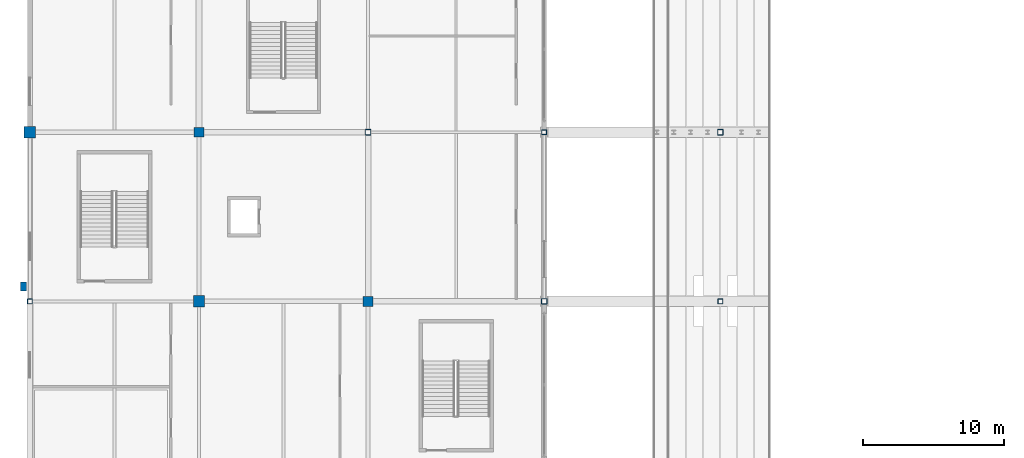
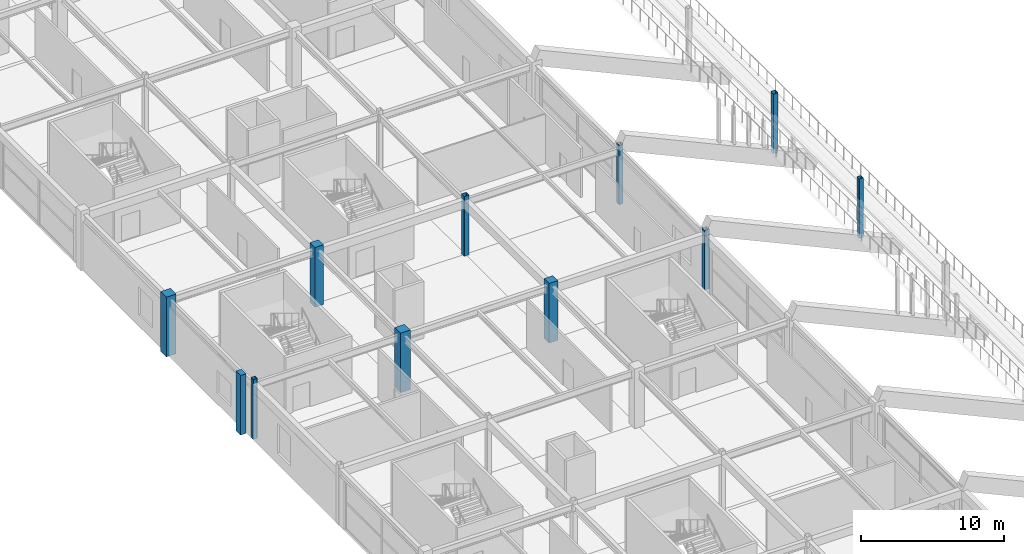
# One storey, part 7 of 128: 11 columns.
"""IFC4 building model written with IfcOpenShell, lengths in metres."""

from ifc_helpers import new_model, si_unit, direction, frame, origin, origin_2d, place, context, subcontext, project, spatial, rectangle, hollow_rectangle, extrude, material, material_profile, profile_set, type_object, element, save


model = new_model("IFC4")

# Units and contexts
model_context = context("Model", 3, precision=1e-05, world=origin(), true_north=direction((0.0, 1.0)))
body_context = subcontext(model_context, "Body", "Model", "MODEL_VIEW")
ifc_project = project(units=[si_unit("LENGTHUNIT", "METRE"), si_unit("AREAUNIT", "SQUARE_METRE"), si_unit("VOLUMEUNIT", "CUBIC_METRE"), si_unit("PLANEANGLEUNIT", "RADIAN"), si_unit("MASSUNIT", "GRAM", prefix="KILO")], contexts=[model_context])

# Site, building, storey
site_placement = place(None, origin())
site = spatial("IfcSite", under=ifc_project, at=site_placement, CompositionType="ELEMENT")
building_placement = place(site_placement, origin())
building = spatial("IfcBuilding", under=site, at=building_placement, Name="Kazenohara Klinker Stadium", CompositionType="ELEMENT")
storey_placement = place(building_placement, frame((0.0, 0.0, 15.300048828125)))
storey = spatial("IfcBuildingStorey", under=building, at=storey_placement, Name="L03", CompositionType="ELEMENT", Elevation=15.300048828125)

# Columns
ifc_material_1 = material(Name="Concrete C40/50", Category="concrete")
ifc_material_profile_1 = material_profile(ifc_material_1, rectangle(XDim=0.800048828125, YDim=0.800048828125, at=origin_2d()), Name="RC-COL-800x800")
ifc_profile_set_1 = profile_set([ifc_material_profile_1], Name="Concrete C40/50")
column_type_1 = type_object("IfcColumnType", Name="COL-RC05", PredefinedType="COLUMN", material=ifc_profile_set_1)
for number, where, z_axis, x_axis, name in (
    (1, (0.0, 96.0, 0.0), (0.0, 0.0, 1.0), (1.0, 0.0, 0.0), "Column C05 L03 1/J"),
    (2, (12.0, 84.0, 0.0), (0.0, 0.0, 1.0), (1.0, 0.0, 0.0), "Column C05 L03 2/H"),
):
    element("IfcColumn", number, at=place(storey_placement, frame(where, z_axis=z_axis, x_axis=x_axis)), inside=storey, type_object=column_type_1, Name=name, PredefinedType="COLUMN", context=body_context, shape_type="SweptSolid", body=[
        extrude(rectangle(XDim=0.800048828125, YDim=0.800048828125, at=origin_2d()), origin(), (0.0, 0.0, 1.0), 5.099853515625),
    ])
ifc_material_profile_2 = material_profile(ifc_material_1, rectangle(XDim=0.699951171875, YDim=0.699951171875, at=origin_2d()), Name="RC-COL-700x700")
ifc_profile_set_2 = profile_set([ifc_material_profile_2], Name="Concrete C40/50")
column_type_2 = type_object("IfcColumnType", Name="COL-RC06", PredefinedType="COLUMN", material=ifc_profile_set_2)
for number, where, z_axis, x_axis, name in (
    (3, (12.0, 96.0, 0.0), (0.0, 0.0, 1.0), (1.0, 0.0, 0.0), "Column C06 L03 2/J"),
    (4, (24.0, 84.0, 0.0), (0.0, 0.0, 1.0), (1.0, 0.0, 0.0), "Column C06 L03 3/H"),
):
    element("IfcColumn", number, at=place(storey_placement, frame(where, z_axis=z_axis, x_axis=x_axis)), inside=storey, type_object=column_type_2, Name=name, PredefinedType="COLUMN", context=body_context, shape_type="SweptSolid", body=[
        extrude(rectangle(XDim=0.699951171875, YDim=0.699951171875, at=origin_2d()), origin(), (0.0, 0.0, 1.0), 5.099853515625),
    ])
ifc_material_2 = material(Name="Steel S355", Category="steel")
ifc_material_profile_3 = material_profile(ifc_material_2, hollow_rectangle(XDim=0.39990234375, YDim=0.39990234375, WallThickness=0.01611328125, InnerFilletRadius=0.01611328125, OuterFilletRadius=0.031982421875, at=origin_2d()), Name="SHS-400x400x16")
ifc_profile_set_3 = profile_set([ifc_material_profile_3], Name="Steel S355")
column_type_3 = type_object("IfcColumnType", Name="COL-ST01", PredefinedType="COLUMN", material=ifc_profile_set_3)
for number, where, z_axis, x_axis, name in (
    (5, (24.0, 96.0, 0.0), (0.0, 0.0, 1.0), (1.0, 0.0, 0.0), "Column SC01 L03 3/J"),
    (6, (36.5, 84.0, 0.0), (0.0, 0.0, 1.0), (1.0, 0.0, 0.0), "Column SC01 L03 4/H"),
    (7, (49.0, 96.0, 0.0), (0.0, 0.0, 1.0), (1.0, 0.0, 0.0), "Canopy ring support column SC01 L03 5/J"),
):
    element("IfcColumn", number, at=place(storey_placement, frame(where, z_axis=z_axis, x_axis=x_axis)), inside=storey, type_object=column_type_3, Name=name, PredefinedType="COLUMN", context=body_context, shape_type="SweptSolid", body=[
        extrude(hollow_rectangle(XDim=0.39990234375, YDim=0.39990234375, WallThickness=0.01611328125, InnerFilletRadius=0.01611328125, OuterFilletRadius=0.031982421875, at=origin_2d()), origin(), (0.0, 0.0, 1.0), 5.099853515625),
    ])
ifc_material_profile_4 = material_profile(ifc_material_2, hollow_rectangle(XDim=0.35009765625, YDim=0.35009765625, WallThickness=0.01611328125, InnerFilletRadius=0.01611328125, OuterFilletRadius=0.031982421875, at=origin_2d()), Name="SHS-350x350x16")
ifc_profile_set_4 = profile_set([ifc_material_profile_4], Name="Steel S355")
column_type_4 = type_object("IfcColumnType", Name="COL-ST02", PredefinedType="COLUMN", material=ifc_profile_set_4)
for number, where, z_axis, x_axis, name in (
    (8, (0.0, 84.0, 0.0), (0.0, 0.0, 1.0), (1.0, 0.0, 0.0), "Column SC02 L03 1/H"),
    (9, (36.5, 96.0, 0.0), (0.0, 0.0, 1.0), (1.0, 0.0, 0.0), "Column SC02 L03 4/J"),
    (10, (49.0, 84.0, 0.0), (0.0, 0.0, 1.0), (1.0, 0.0, 0.0), "Canopy ring support column SC02 L03 5/H"),
):
    element("IfcColumn", number, at=place(storey_placement, frame(where, z_axis=z_axis, x_axis=x_axis)), inside=storey, type_object=column_type_4, Name=name, PredefinedType="COLUMN", context=body_context, shape_type="SweptSolid", body=[
        extrude(hollow_rectangle(XDim=0.35009765625, YDim=0.35009765625, WallThickness=0.01611328125, InnerFilletRadius=0.01611328125, OuterFilletRadius=0.031982421875, at=origin_2d()), origin(), (0.0, 0.0, 1.0), 5.099853515625),
    ])
ifc_material_profile_5 = material_profile(ifc_material_1, rectangle(XDim=0.449951171875, YDim=0.64990234375, at=origin_2d()), Name="RC-PILASTER-450x650")
ifc_profile_set_5 = profile_set([ifc_material_profile_5], Name="Concrete C40/50")
column_type_5 = type_object("IfcColumnType", Name="PIL-RC01", PredefinedType="PILASTER", material=ifc_profile_set_5)
column_placement = place(storey_placement, frame((-0.449951171875, 85.050048828125, 0.0), z_axis=(0.0, 0.0, 1.0), x_axis=(1.0, 0.0, 0.0)))
element("IfcColumn", 11, at=column_placement, inside=storey, type_object=column_type_5, Name="Pleated facade pilaster PL01 L03 West-07", PredefinedType="PILASTER", context=body_context, shape_type="SweptSolid", body=[
    extrude(rectangle(XDim=0.449951171875, YDim=0.64990234375, at=origin_2d()), origin(), (0.0, 0.0, 1.0), 5.099853515625),
])

save(model, "model.ifc")
